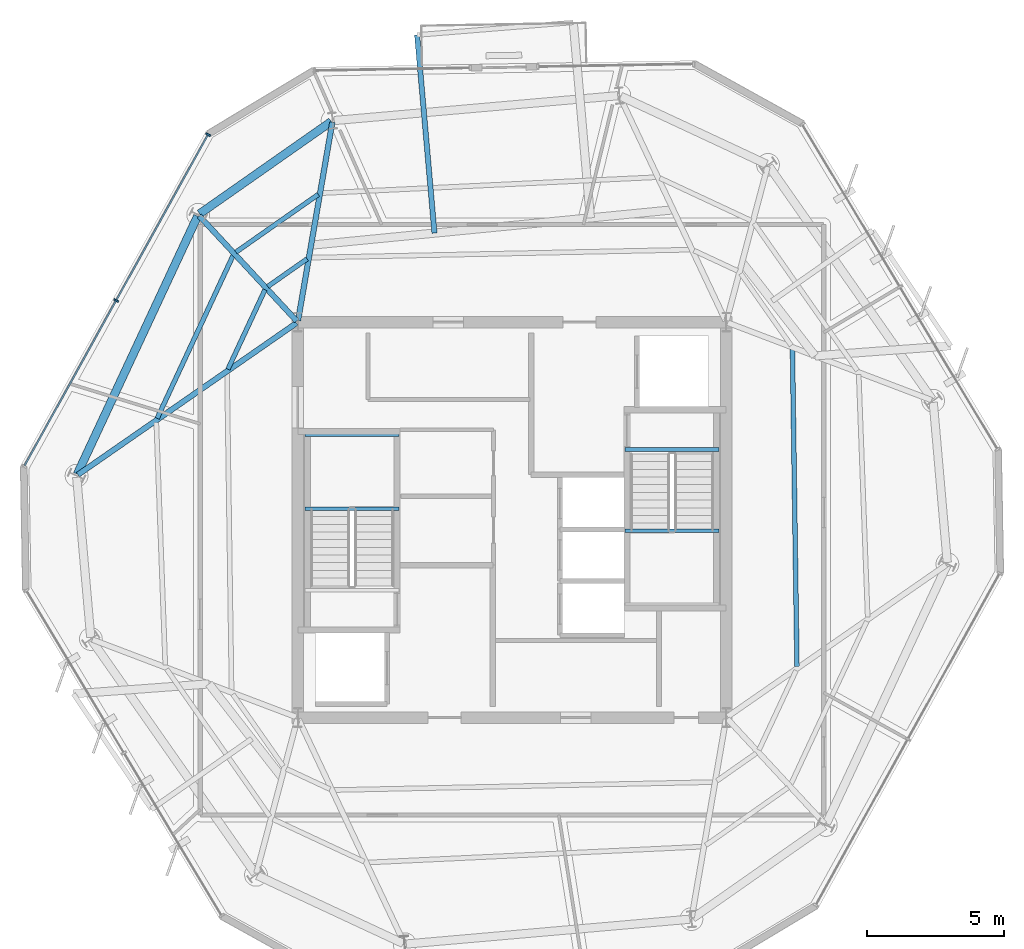
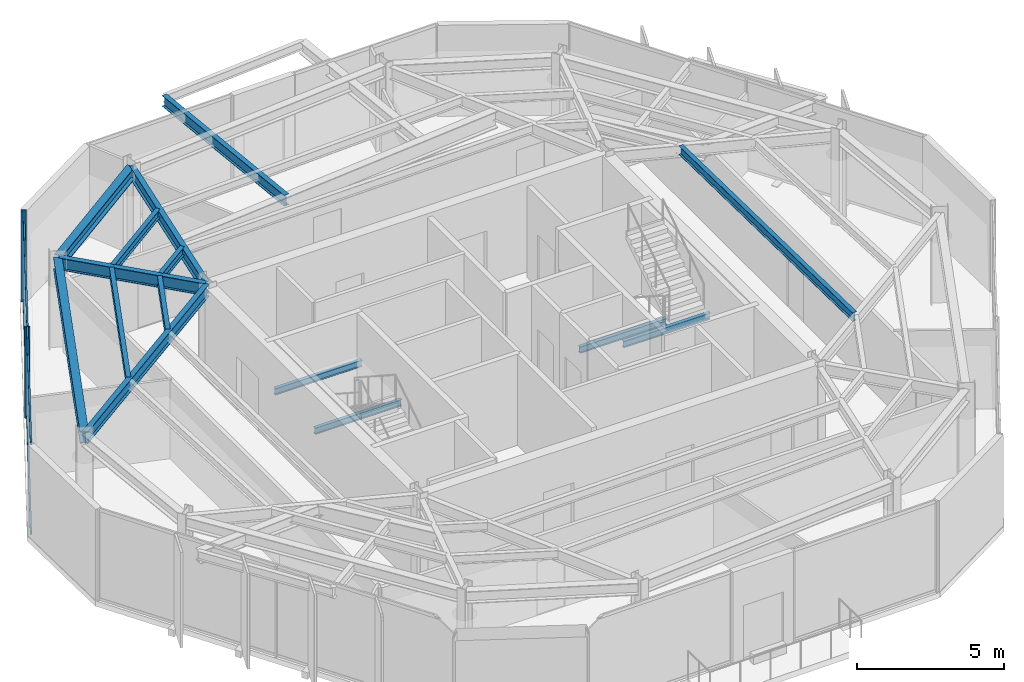
# One storey, part 4 of 12: 15 beams, 6 members, 1 element without a shape of its own.
"""IFC4 building model written with IfcOpenShell, lengths in metres."""

import ifcopenshell
import ifcopenshell.guid

model = None  # the IFC model being written
_history = None  # IfcOwnerHistory: only IFC2X3 demands one
_inside = {}  # id of a spatial element -> (the spatial element, [elements in it])
_under = {}  # id of a project, library or spatial element -> (it, [spatial elements below it])
_declared = {}  # id of a project -> (the project, [libraries it declares])
_typed = {}  # id of a type object -> (the type object, [elements of that type])
_made_of = {}  # id of a material, layer set ... -> (it, [elements and type objects made of it])


def new_model(schema):
    """Start an empty IFC model of exactly this schema.

    Asked for "IFC4X3", IfcOpenShell would pick the latest addendum, in which some entities
    have other attributes; the version numbers below select the first issue.
    IFC2X3 requires an IfcOwnerHistory on every rooted entity: one is made here for all.
    """
    global model, _history
    if schema == "IFC4X3":
        model = ifcopenshell.file(schema_version=(4, 3, 0, 0))
    else:
        model = ifcopenshell.file(schema=schema)
    _inside.clear()
    _under.clear()
    _declared.clear()
    _typed.clear()
    _made_of.clear()
    _history = None
    if model.schema == "IFC2X3":
        org = make("IfcOrganization", Name="unknown")
        user = make(
            "IfcPersonAndOrganization",
            ThePerson=make("IfcPerson", FamilyName="unknown"),
            TheOrganization=org,
        )
        app = make(
            "IfcApplication",
            ApplicationDeveloper=org,
            Version="unknown",
            ApplicationFullName="unknown",
            ApplicationIdentifier="unknown",
        )
        _history = make(
            "IfcOwnerHistory",
            OwningUser=user,
            OwningApplication=app,
            ChangeAction="ADDED",
            CreationDate=0,
        )
    return model


def make(cls, **values):
    """One entity of the class cls with the attributes given. An attribute that is None is left unset."""
    return model.create_entity(
        cls, **{name: value for name, value in values.items() if value is not None}
    )


def rooted(cls, **values):
    """An entity with a GlobalId (a new one), such as an element, a storey or a relation."""
    return make(cls, GlobalId=ifcopenshell.guid.new(), OwnerHistory=_history, **values)


def si_unit(unit_type, name, prefix=None):
    """IfcSIUnit, for example si_unit("LENGTHUNIT", "METRE", prefix="MILLI")."""
    return make("IfcSIUnit", UnitType=unit_type, Prefix=prefix, Name=name)


def assignment(units):
    """IfcUnitAssignment: the units of a project."""
    return None if units is None else make("IfcUnitAssignment", Units=units)


def point(xyz):
    """IfcCartesianPoint."""
    return None if xyz is None else make("IfcCartesianPoint", Coordinates=xyz)


def direction(xyz):
    """IfcDirection."""
    return None if xyz is None else make("IfcDirection", DirectionRatios=xyz)


def frame(location, z_axis=None, x_axis=None):
    """IfcAxis2Placement3D, a coordinate frame: its origin and axes. An axis left out is left unset."""
    return make(
        "IfcAxis2Placement3D",
        Location=point(location),
        Axis=direction(z_axis),
        RefDirection=direction(x_axis),
    )


def frame_2d(location, x_axis=None):
    """IfcAxis2Placement2D, a coordinate frame in the plane: its origin and x axis."""
    return make(
        "IfcAxis2Placement2D", Location=point(location), RefDirection=direction(x_axis)
    )


def origin():
    """The frame at (0, 0, 0) with its axes left unset."""
    return frame((0.0, 0.0, 0.0))


def origin_2d():
    """The frame at (0, 0) in the plane with its x axis left unset."""
    return frame_2d((0.0, 0.0))


def place(relative_to, where):
    """IfcLocalPlacement: puts the frame where relative to a parent placement (None: the world)."""
    return make(
        "IfcLocalPlacement", PlacementRelTo=relative_to, RelativePlacement=where
    )


def context(
    kind, dimensions, precision=None, world=None, true_north=None, identifier=None
):
    """IfcGeometricRepresentationContext, for example the 3D "Model" context."""
    return make(
        "IfcGeometricRepresentationContext",
        ContextIdentifier=identifier,
        ContextType=kind,
        CoordinateSpaceDimension=dimensions,
        Precision=precision,
        WorldCoordinateSystem=world,
        TrueNorth=true_north,
    )


def subcontext(parent, identifier, kind, view, scale=None):
    """IfcGeometricRepresentationSubContext, for example "Body" below "Model"."""
    return make(
        "IfcGeometricRepresentationSubContext",
        ContextIdentifier=identifier,
        ContextType=kind,
        ParentContext=parent,
        TargetScale=scale,
        TargetView=view,
    )


def project(units=None, contexts=None):
    """IfcProject with its units and contexts."""
    return rooted(
        "IfcProject",
        Name="project",
        RepresentationContexts=contexts,
        UnitsInContext=assignment(units),
    )


def spatial(cls, under=None, at=None, **own):
    """A site, building, storey or space (cls), placed at a placement, below another one or the project."""
    s = rooted(cls, ObjectPlacement=at, **own)
    if under is not None:
        _under.setdefault(under.id(), (under, []))[1].append(s)
    return s


def profile(cls, at=None, kind="AREA", **sizes):
    """A parametric profile (cls). Its sizes go by their IFC names, for example OverallWidth=200.0."""
    return make(cls, ProfileType=kind, Position=at, **sizes)


def rectangle(**sizes):
    """IfcRectangleProfileDef."""
    return profile("IfcRectangleProfileDef", **sizes)


def i_section(**sizes):
    """IfcIShapeProfileDef."""
    return profile("IfcIShapeProfileDef", **sizes)


def extrude(swept, where, along, depth):
    """IfcExtrudedAreaSolid: the profile swept, set in the frame where, extruded along a direction by depth."""
    return make(
        "IfcExtrudedAreaSolid",
        SweptArea=swept,
        Position=where,
        ExtrudedDirection=direction(along),
        Depth=depth,
    )


def shape(context_of_items, identifier, shape_type, items):
    """IfcShapeRepresentation: the items that make up one representation, for example the "Body"."""
    return make(
        "IfcShapeRepresentation",
        ContextOfItems=context_of_items,
        RepresentationIdentifier=identifier,
        RepresentationType=shape_type,
        Items=items,
    )


def material(Name=None, Category=None):
    """IfcMaterial."""
    return make("IfcMaterial", Name=Name, Category=Category)


def layer(
    of_material, thickness, ventilated=None, Name=None, Category=None, Priority=None
):
    """IfcMaterialLayer: one layer of a wall or slab, of a material (None: an air gap)."""
    return make(
        "IfcMaterialLayer",
        Material=of_material,
        LayerThickness=thickness,
        IsVentilated=ventilated,
        Name=Name,
        Category=Category,
        Priority=Priority,
    )


def layer_set(layers, Name=None):
    """IfcMaterialLayerSet."""
    return make("IfcMaterialLayerSet", MaterialLayers=layers, LayerSetName=Name)


def material_profile(
    of_material, cross_section, Name=None, Category=None, Priority=None
):
    """IfcMaterialProfile: a cross section and its material."""
    return make(
        "IfcMaterialProfile",
        Name=Name,
        Material=of_material,
        Profile=cross_section,
        Priority=Priority,
        Category=Category,
    )


def profile_set(profiles, Name=None, composite=None):
    """IfcMaterialProfileSet."""
    return make(
        "IfcMaterialProfileSet",
        Name=Name,
        MaterialProfiles=profiles,
        CompositeProfile=composite,
    )


def made_of(thing, what):
    """Note that an element or type object is made of a material, layer set ...; save() writes the relation."""
    if what is not None:
        _made_of.setdefault(what.id(), (what, []))[1].append(thing)
    return thing


def type_object(cls, material=None, **own):
    """A type object (cls), such as IfcWallType, which elements share."""
    return made_of(rooted(cls, **own), material)


def element(
    cls,
    number,
    at=None,
    inside=None,
    cuts=None,
    type_object=None,
    material=None,
    context=None,
    identifier="Body",
    shape_type=None,
    held_by="IfcProductDefinitionShape",
    body=None,
    shapes=None,
    **own,
):
    """One element of the class cls, such as IfcWall. Its Tag is "e" and its number.

    at: its placement. inside: the storey or other place that contains it. cuts: it is an
    opening in that element (IfcRelVoidsElement). A single representation is given by context,
    identifier, shape_type and body (its items); several are given by shapes. held_by: the class
    of the entity that holds the representations. save() writes the other relations.
    """
    e = rooted(cls, Tag="e%d" % number, ObjectPlacement=at, **own)
    if body is not None:
        shapes = [shape(context, identifier, shape_type, body)]
    if shapes is not None:
        e.Representation = make(held_by, Representations=shapes)
    if inside is not None:
        _inside.setdefault(inside.id(), (inside, []))[1].append(e)
    if cuts is not None:
        rooted(
            "IfcRelVoidsElement", RelatingBuildingElement=cuts, RelatedOpeningElement=e
        )
    if type_object is not None:
        _typed.setdefault(type_object.id(), (type_object, []))[1].append(e)
    return made_of(e, material)


def aggregate(whole, parts):
    """IfcRelAggregates: a whole, such as a stair, and the parts it consists of."""
    return rooted("IfcRelAggregates", RelatingObject=whole, RelatedObjects=parts)


def save(model, path):
    """Write the relations noted so far, then the file.

    IfcRelAggregates (storeys below a building ...), IfcRelContainedInSpatialStructure (elements
    in a storey), IfcRelDefinesByType, IfcRelAssociatesMaterial and IfcRelDeclares: one each for
    every whole, place, type object, material and project.
    """
    for whole, parts in _under.values():
        aggregate(whole, parts)
    for where, things in _inside.values():
        rooted(
            "IfcRelContainedInSpatialStructure",
            RelatedElements=things,
            RelatingStructure=where,
        )
    for kind, things in _typed.values():
        rooted("IfcRelDefinesByType", RelatedObjects=things, RelatingType=kind)
    for what, things in _made_of.values():
        rooted("IfcRelAssociatesMaterial", RelatedObjects=things, RelatingMaterial=what)
    for by, libraries in _declared.values():
        rooted("IfcRelDeclares", RelatingContext=by, RelatedDefinitions=libraries)
    model.write(path)


model = new_model("IFC4")

# Units and contexts
model_context = context("Model", 3, precision=1e-05, world=origin(), true_north=direction((0.0, 1.0)))
body_context = subcontext(model_context, "Body", "Model", "MODEL_VIEW")
ifc_project = project(units=[si_unit("LENGTHUNIT", "METRE"), si_unit("AREAUNIT", "SQUARE_METRE"), si_unit("VOLUMEUNIT", "CUBIC_METRE"), si_unit("PLANEANGLEUNIT", "RADIAN"), si_unit("MASSUNIT", "GRAM", prefix="KILO")], contexts=[model_context])

# Site, building, storey
site_placement = place(None, origin())
site = spatial("IfcSite", under=ifc_project, at=site_placement, CompositionType="ELEMENT")
building_placement = place(site_placement, origin())
building = spatial("IfcBuilding", under=site, at=building_placement, Name="Kranzbogen Civic Tower", CompositionType="ELEMENT")
storey_placement = place(building_placement, frame((0.0, 0.0, 270.199951171875)))
storey = spatial("IfcBuildingStorey", under=building, at=storey_placement, Name="L65", CompositionType="ELEMENT", Elevation=270.199951171875)

# Beam
ifc_material_1 = material(Name="Steel S355", Category="steel")
ifc_material_profile_1 = material_profile(ifc_material_1, i_section(OverallWidth=0.18994140625, OverallDepth=0.449951171875, WebThickness=0.009521484375, FlangeThickness=0.0146484375, at=origin_2d()), Name="IPE 450")
ifc_profile_set_1 = profile_set([ifc_material_profile_1], Name="Steel S355")
beam_type_1 = type_object("IfcBeamType", Name="Braced Terrace Edge Beam IPE 450", PredefinedType="BEAM", material=ifc_profile_set_1)
beam_1_placement = place(storey_placement, frame((22.177001953125, 35.44189453125, 3.4951171875), z_axis=(-0.087148967034, 0.996195290867, 0.0), x_axis=(-0.996195290867, -0.087148967034, 0.0)))
element("IfcBeam", 1, at=beam_1_placement, inside=storey, type_object=beam_type_1, Name="L66 back-spanned terrace beam L66-ST-2", PredefinedType="BEAM", context=body_context, shape_type="SweptSolid", body=[
    extrude(i_section(OverallWidth=0.18994140625, OverallDepth=0.449951171875, WebThickness=0.009521484375, FlangeThickness=0.0146484375, at=origin_2d()), origin(), (0.0, 0.0, 1.0), 7.24169921875),
])

# Curtain wall, members
ifc_material_2 = material(Name="Pale Anodised Aluminium", Category="aluminium")
ifc_layer = layer(ifc_material_2, 0.219970703125, Name="Pale Anodised Aluminium")
ifc_layer_set = layer_set([ifc_layer], Name="Pale Anodised Aluminium")
curtain_wall_type = type_object("IfcCurtainWallType", Name="Zone 4 Stick Curtain Wall System CW-05", PredefinedType="USERDEFINED", material=ifc_layer_set)
curtain_wall_placement = place(storey_placement, origin())
curtain_wall = element("IfcCurtainWall", 2, at=curtain_wall_placement, inside=storey, type_object=curtain_wall_type, Name="L65 curtain wall CW-L65-F2", ObjectType="STICK CURTAIN WALL", PredefinedType="USERDEFINED")
ifc_material_profile_2 = material_profile(ifc_material_2, rectangle(XDim=0.06494140625, YDim=0.179931640625, at=origin_2d()), Name="ALU-M 65x180")
ifc_profile_set_2 = profile_set([ifc_material_profile_2], Name="Pale Anodised Aluminium")
member_type_1 = type_object("IfcMemberType", Name="Curtain Wall Mullion ALU-M 65x180", PredefinedType="MULLION", material=ifc_profile_set_2)
member_1_placement = place(storey_placement, frame((13.935546875, 39.02978515625, 0.0), z_axis=(0.0, 0.0, 1.0), x_axis=(-0.484840955853, -0.874602336795, 0.0)))
member_1 = element("IfcMember", 3, at=member_1_placement, type_object=member_type_1, Name="CW-05 mullion 1", PredefinedType="MULLION", context=body_context, shape_type="SweptSolid", body=[
    extrude(rectangle(XDim=0.06494140625, YDim=0.179931640625, at=origin_2d()), origin(), (0.0, 0.0, 1.0), 3.780029296875),
])
member_2_placement = place(storey_placement, frame((10.5869140625, 32.989501953125, 0.0), z_axis=(0.0, 0.0, 1.0), x_axis=(-0.484840955853, -0.874602336795, 0.0)))
member_2 = element("IfcMember", 4, at=member_2_placement, type_object=member_type_1, Name="CW-05 mullion 2", PredefinedType="MULLION", context=body_context, shape_type="SweptSolid", body=[
    extrude(rectangle(XDim=0.06494140625, YDim=0.179931640625, at=origin_2d()), origin(), (0.0, 0.0, 1.0), 3.780029296875),
])
ifc_material_profile_3 = material_profile(ifc_material_2, rectangle(XDim=0.06494140625, YDim=0.135009765625, at=origin_2d()), Name="ALU-T 65x135")
ifc_profile_set_3 = profile_set([ifc_material_profile_3], Name="Pale Anodised Aluminium")
member_type_2 = type_object("IfcMemberType", Name="Curtain Wall Transom ALU-T 65x135", PredefinedType="USERDEFINED", material=ifc_profile_set_3)
member_3_placement = place(storey_placement, frame((13.9208984375, 39.00341796875, 0.030029296875), z_axis=(-0.484837340713, -0.87460434086, 0.0), x_axis=(0.87460434086, -0.484837340713, 0.0)))
member_3 = element("IfcMember", 5, at=member_3_placement, type_object=member_type_2, Name="CW-05 transom 1.1", ObjectType="TRANSOM", PredefinedType="USERDEFINED", context=body_context, shape_type="SweptSolid", body=[
    extrude(rectangle(XDim=0.06494140625, YDim=0.135009765625, at=origin_2d()), origin(), (0.0, 0.0, 1.0), 6.84619140625),
])
member_4_placement = place(storey_placement, frame((13.9208984375, 39.00341796875, 3.75), z_axis=(-0.484837340713, -0.87460434086, 0.0), x_axis=(0.87460434086, -0.484837340713, 0.0)))
member_4 = element("IfcMember", 6, at=member_4_placement, type_object=member_type_2, Name="CW-05 transom 1.2", ObjectType="TRANSOM", PredefinedType="USERDEFINED", context=body_context, shape_type="SweptSolid", body=[
    extrude(rectangle(XDim=0.06494140625, YDim=0.135009765625, at=origin_2d()), origin(), (0.0, 0.0, 1.0), 6.84619140625),
])
member_5_placement = place(storey_placement, frame((10.572509765625, 32.96337890625, 0.030029296875), z_axis=(-0.484837340713, -0.87460434086, 0.0), x_axis=(0.87460434086, -0.484837340713, 0.0)))
member_5 = element("IfcMember", 7, at=member_5_placement, type_object=member_type_2, Name="CW-05 transom 2.1", ObjectType="TRANSOM", PredefinedType="USERDEFINED", context=body_context, shape_type="SweptSolid", body=[
    extrude(rectangle(XDim=0.06494140625, YDim=0.135009765625, at=origin_2d()), origin(), (0.0, 0.0, 1.0), 6.84619140625),
])
member_6_placement = place(storey_placement, frame((10.572509765625, 32.96337890625, 3.75), z_axis=(-0.484837340713, -0.87460434086, 0.0), x_axis=(0.87460434086, -0.484837340713, 0.0)))
member_6 = element("IfcMember", 8, at=member_6_placement, type_object=member_type_2, Name="CW-05 transom 2.2", ObjectType="TRANSOM", PredefinedType="USERDEFINED", context=body_context, shape_type="SweptSolid", body=[
    extrude(rectangle(XDim=0.06494140625, YDim=0.135009765625, at=origin_2d()), origin(), (0.0, 0.0, 1.0), 6.84619140625),
])
aggregate(curtain_wall, [member_1, member_2, member_3, member_4, member_5, member_6])

# Beams
ifc_material_profile_4 = material_profile(ifc_material_1, i_section(OverallWidth=0.300048828125, OverallDepth=0.5, WebThickness=0.014404296875, FlangeThickness=0.028076171875, at=origin_2d()), Name="HEB 500")
ifc_profile_set_4 = profile_set([ifc_material_profile_4], Name="Steel S355")
beam_type_2 = type_object("IfcBeamType", Name="Perimeter Tube Spandrel Beam HEB 500", PredefinedType="SPANDREL", material=ifc_profile_set_4)
beam_2_placement = place(storey_placement, frame((18.41796875, 39.501953125, 3.530029296875), z_axis=(-0.819059436004, -0.57370867197, 0.0), x_axis=(0.57370867197, -0.819059436004, 0.0)))
element("IfcBeam", 9, at=beam_2_placement, inside=storey, type_object=beam_type_2, Name="L65 perimeter spandrel beam 10", PredefinedType="SPANDREL", context=body_context, shape_type="SweptSolid", body=[
    extrude(i_section(OverallWidth=0.300048828125, OverallDepth=0.5, WebThickness=0.014404296875, FlangeThickness=0.028076171875, at=origin_2d()), origin(), (0.0, 0.0, 1.0), 5.85302734375),
])
beam_3_placement = place(storey_placement, frame((13.550048828125, 36.055908203125, 3.530029296875), z_axis=(-0.422668780888, -0.906284227857, 0.0), x_axis=(0.906284227857, -0.422668780888, 0.0)))
element("IfcBeam", 10, at=beam_3_placement, inside=storey, type_object=beam_type_2, Name="L65 perimeter spandrel beam 11", PredefinedType="SPANDREL", context=body_context, shape_type="SweptSolid", body=[
    extrude(i_section(OverallWidth=0.300048828125, OverallDepth=0.5, WebThickness=0.014404296875, FlangeThickness=0.028076171875, at=origin_2d()), origin(), (0.0, 0.0, 1.0), 10.363037109375),
])
ifc_material_profile_5 = material_profile(ifc_material_1, i_section(OverallWidth=0.199951171875, OverallDepth=0.5, WebThickness=0.01025390625, FlangeThickness=0.01611328125, at=origin_2d()), Name="IPE 500")
ifc_profile_set_5 = profile_set([ifc_material_profile_5], Name="Steel S355")
beam_type_3 = type_object("IfcBeamType", Name="Radial Tower Floor Girder IPE 500", PredefinedType="BEAM", material=ifc_profile_set_5)
beam_4_placement = place(storey_placement, frame((18.45703125, 39.47705078125, 3.530029296875), z_axis=(-0.170249558486, -0.985400978199, 0.0), x_axis=(0.985400978199, -0.170249558486, 0.0)))
element("IfcBeam", 11, at=beam_4_placement, inside=storey, type_object=beam_type_3, Name="L65 radial floor girder 10", PredefinedType="BEAM", context=body_context, shape_type="SweptSolid", body=[
    extrude(i_section(OverallWidth=0.199951171875, OverallDepth=0.5, WebThickness=0.01025390625, FlangeThickness=0.01611328125, at=origin_2d()), origin(), (0.0, 0.0, 1.0), 7.324951171875),
])
beam_5_placement = place(storey_placement, frame((13.615966796875, 36.06591796875, 3.530029296875), z_axis=(0.679827353702, -0.733372190064, 0.0), x_axis=(0.733372190064, 0.679827353702, 0.0)))
element("IfcBeam", 12, at=beam_5_placement, inside=storey, type_object=beam_type_3, Name="L65 radial floor girder 11", PredefinedType="BEAM", context=body_context, shape_type="SweptSolid", body=[
    extrude(i_section(OverallWidth=0.199951171875, OverallDepth=0.5, WebThickness=0.01025390625, FlangeThickness=0.01611328125, at=origin_2d()), origin(), (0.0, 0.0, 1.0), 5.211669921875),
])
beam_6_placement = place(storey_placement, frame((9.194091796875, 26.64404296875, 3.530029296875), z_axis=(0.821542812331, 0.570146829779, 0.0), x_axis=(-0.570146829779, 0.821542812331, 0.0)))
element("IfcBeam", 13, at=beam_6_placement, inside=storey, type_object=beam_type_3, Name="L65 radial floor girder 12", PredefinedType="BEAM", context=body_context, shape_type="SweptSolid", body=[
    extrude(i_section(OverallWidth=0.199951171875, OverallDepth=0.5, WebThickness=0.01025390625, FlangeThickness=0.01611328125, at=origin_2d()), origin(), (0.0, 0.0, 1.0), 9.68505859375),
])
ifc_material_profile_6 = material_profile(ifc_material_1, i_section(OverallWidth=0.169921875, OverallDepth=0.360107421875, WebThickness=0.008056640625, FlangeThickness=0.0126953125, at=origin_2d()), Name="IPE 360")
ifc_profile_set_6 = profile_set([ifc_material_profile_6], Name="Steel S355")
beam_type_4 = type_object("IfcBeamType", Name="Secondary Composite Floor Joist IPE 360", PredefinedType="JOIST", material=ifc_profile_set_6)
beam_7_placement = place(storey_placement, frame((35.3759765625, 19.6689453125, 3.60009765625), z_axis=(-0.014221385906, 0.999898870978, 0.0), x_axis=(-0.999898870978, -0.014221385906, 0.0)))
element("IfcBeam", 14, at=beam_7_placement, inside=storey, type_object=beam_type_4, Name="L65 secondary floor joist 2.06", PredefinedType="JOIST", context=body_context, shape_type="SweptSolid", body=[
    extrude(i_section(OverallWidth=0.169921875, OverallDepth=0.360107421875, WebThickness=0.008056640625, FlangeThickness=0.0126953125, at=origin_2d()), origin(), (0.0, 0.0, 1.0), 11.536376953125),
])
beam_8_placement = place(storey_placement, frame((17.945068359375, 36.84912109375, 3.60009765625), z_axis=(-0.819006333711, -0.573784476385, 0.0), x_axis=(0.573784476385, -0.819006333711, 0.0)))
element("IfcBeam", 15, at=beam_8_placement, inside=storey, type_object=beam_type_4, Name="L65 secondary floor joist 1.10", PredefinedType="JOIST", context=body_context, shape_type="SweptSolid", body=[
    extrude(i_section(OverallWidth=0.169921875, OverallDepth=0.360107421875, WebThickness=0.008056640625, FlangeThickness=0.0126953125, at=origin_2d()), origin(), (0.0, 0.0, 1.0), 3.661865234375),
])
beam_9_placement = place(storey_placement, frame((17.5400390625, 34.501953125, 3.60009765625), z_axis=(-0.818956727849, -0.573855276103, 0.0), x_axis=(0.573855276103, -0.818956727849, 0.0)))
element("IfcBeam", 16, at=beam_9_placement, inside=storey, type_object=beam_type_4, Name="L65 secondary floor joist 2.10", PredefinedType="JOIST", context=body_context, shape_type="SweptSolid", body=[
    extrude(i_section(OverallWidth=0.169921875, OverallDepth=0.360107421875, WebThickness=0.008056640625, FlangeThickness=0.0126953125, at=origin_2d()), origin(), (0.0, 0.0, 1.0), 1.751220703125),
])
beam_10_placement = place(storey_placement, frame((14.845947265625, 34.6298828125, 3.60009765625), z_axis=(-0.422542528713, -0.906343098075, 0.0), x_axis=(0.906343098075, -0.422542528713, 0.0)))
element("IfcBeam", 17, at=beam_10_placement, inside=storey, type_object=beam_type_4, Name="L65 secondary floor joist 1.11", PredefinedType="JOIST", context=body_context, shape_type="SweptSolid", body=[
    extrude(i_section(OverallWidth=0.169921875, OverallDepth=0.360107421875, WebThickness=0.008056640625, FlangeThickness=0.0126953125, at=origin_2d()), origin(), (0.0, 0.0, 1.0), 6.548095703125),
])
beam_11_placement = place(storey_placement, frame((16.006103515625, 33.37890625, 3.60009765625), z_axis=(-0.422651143991, -0.906292453065, 0.0), x_axis=(0.906292453065, -0.422651143991, 0.0)))
element("IfcBeam", 18, at=beam_11_placement, inside=storey, type_object=beam_type_4, Name="L65 secondary floor joist 2.11", PredefinedType="JOIST", context=body_context, shape_type="SweptSolid", body=[
    extrude(i_section(OverallWidth=0.169921875, OverallDepth=0.360107421875, WebThickness=0.008056640625, FlangeThickness=0.0126953125, at=origin_2d()), origin(), (0.0, 0.0, 1.0), 3.1943359375),
])
ifc_material_profile_7 = material_profile(ifc_material_1, i_section(OverallWidth=0.135009765625, OverallDepth=0.27001953125, WebThickness=0.006591796875, FlangeThickness=0.01025390625, at=origin_2d()), Name="IPE 270")
ifc_profile_set_7 = profile_set([ifc_material_profile_7], Name="Steel S355")
beam_type_5 = type_object("IfcBeamType", Name="Stair Landing Support Beam IPE 270", PredefinedType="JOIST", material=ifc_profile_set_7)
for number, where, z_axis, x_axis, name in (
    (19, (20.8798828125, 25.39990234375, 1.6650390625), (-1.0, 0.0, 0.0), (0.0, -1.0, 0.0), "L65 ST-T1 landing support beam 1.1"),
    (20, (20.8798828125, 28.10009765625, 1.6650390625), (-1.0, 0.0, 0.0), (0.0, -1.0, 0.0), "L65 ST-T1 landing support beam 1.2"),
    (21, (29.1201171875, 27.56005859375, -0.35498046875), (1.0, 0.0, 0.0), (0.0, 1.0, 0.0), "L65 ST-T2 stair floor header beam"),
    (22, (29.1201171875, 24.60009765625, 1.6650390625), (1.0, 0.0, 0.0), (0.0, 1.0, 0.0), "L65 ST-T2 landing support beam 1.1"),
):
    element("IfcBeam", number, at=place(storey_placement, frame(where, z_axis=z_axis, x_axis=x_axis)), inside=storey, type_object=beam_type_5, Name=name, PredefinedType="JOIST", context=body_context, shape_type="SweptSolid", body=[
        extrude(i_section(OverallWidth=0.135009765625, OverallDepth=0.27001953125, WebThickness=0.006591796875, FlangeThickness=0.01025390625, at=origin_2d()), origin(), (0.0, 0.0, 1.0), 3.409912109375),
    ])

save(model, "model.ifc")
